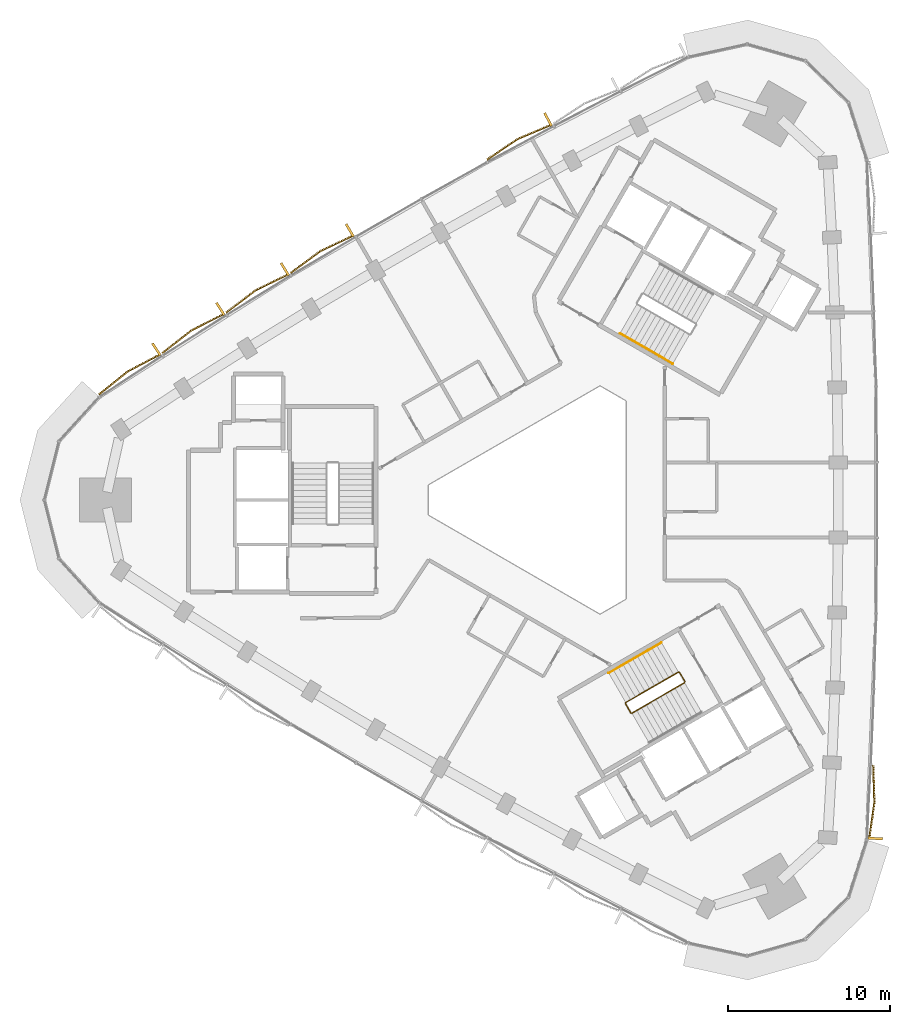
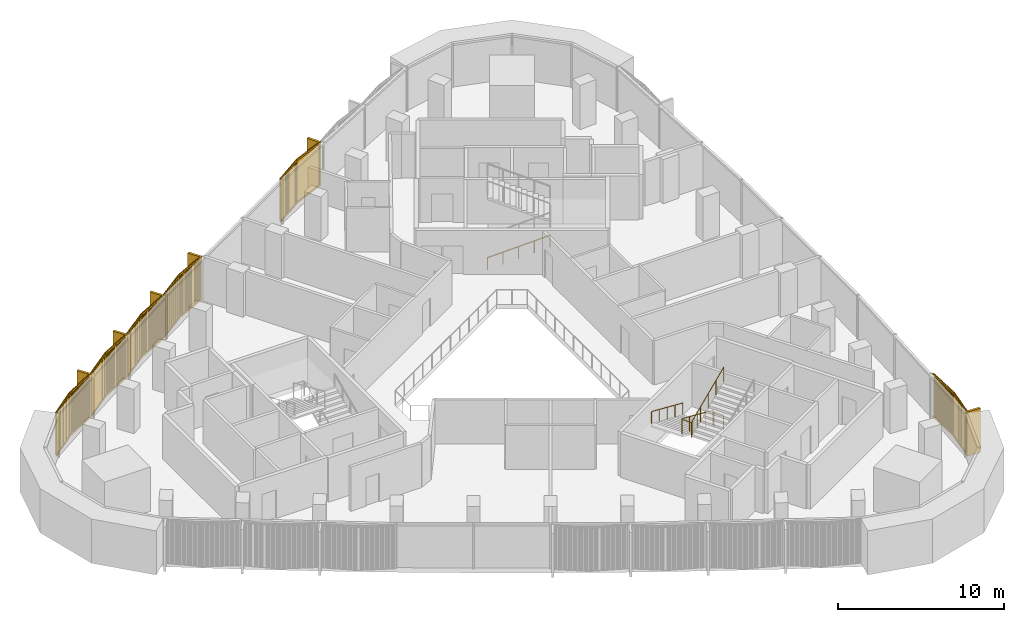
# One storey, part 12 of 13: 6 coverings, 3 railings.
"""IFC4 building model written with IfcOpenShell, lengths in metres."""

from ifc_helpers import new_model, si_unit, direction, frame, frame_2d, origin, origin_2d, place, context, subcontext, project, spatial, rectangle, circle, extrude, source, transform, mapped, material, type_object, element, save


model = new_model("IFC4")

# Units and contexts
model_context = context("Model", 3, precision=1e-05, world=origin(), true_north=direction((0.0, 1.0)))
body_context = subcontext(model_context, "Body", "Model", "MODEL_VIEW")
ifc_project = project(units=[si_unit("LENGTHUNIT", "METRE"), si_unit("AREAUNIT", "SQUARE_METRE"), si_unit("VOLUMEUNIT", "CUBIC_METRE"), si_unit("PLANEANGLEUNIT", "RADIAN"), si_unit("MASSUNIT", "GRAM", prefix="KILO")], contexts=[model_context])

# Site, building, storey
site_placement = place(None, origin())
site = spatial("IfcSite", under=ifc_project, at=site_placement, CompositionType="ELEMENT")
building_placement = place(site_placement, origin())
building = spatial("IfcBuilding", under=site, at=building_placement, Name="Tamra Quay Hotel Tower", CompositionType="ELEMENT")
storey_placement = place(building_placement, frame((0.0, 0.0, 193.60009765625)))
storey = spatial("IfcBuildingStorey", under=building, at=storey_placement, Name="L48", CompositionType="ELEMENT", Elevation=193.60009765625)

# Railings
ifc_material_1 = material(Name="Stair guard 1100")
railing_type_1 = type_object("IfcRailingType", Name="Stair guard 1100", PredefinedType="GUARDRAIL", material=ifc_material_1)
railing_1_placement = place(storey_placement, frame((8.245849609375, -11.221923828125, 0.0)))
element("IfcRailing", 1, at=railing_1_placement, inside=storey, type_object=railing_type_1, Name="GR", PredefinedType="GUARDRAIL", context=body_context, shape_type="SweptSolid", body=[
    extrude(circle(Radius=0.02392578125, at=origin_2d()), frame((0.0, 0.0, 1.076171875), z_axis=(-0.500043078269, 0.866000531106, 0.0), x_axis=(-0.866000531106, -0.500043078269, 0.0)), (0.0, 0.0, 1.0), 0.6591796875),
    extrude(circle(Radius=0.02392578125, at=origin_2d()), frame((-0.32958984375, 0.57080078125, 1.076171875), z_axis=(-0.41238007866, 0.110458949641, 0.904290601062), x_axis=(-0.258736085224, -0.965948051503, 0.0)), (0.0, 0.0, 1.0), 0.165771484375),
    extrude(circle(Radius=0.02392578125, at=origin_2d()), frame((-0.39794921875, 0.589111328125, 1.22607421875), z_axis=(-0.793100512587, -0.457912285461, 0.401631567183), x_axis=(0.500012686397, -0.866018079166, 0.0)), (0.0, 0.0, 1.0), 4.10791015625),
    extrude(circle(Radius=0.02392578125, at=origin_2d()), frame((-3.656005859375, -1.2919921875, 2.8759765625), z_axis=(-0.256368644879, -0.966579080015, 0.0), x_axis=(0.966579080015, -0.256368644879, 0.0)), (0.0, 0.0, 1.0), 0.070556640625),
    extrude(circle(Radius=0.02392578125, at=origin_2d()), frame((-3.674072265625, -1.360107421875, 2.8759765625), z_axis=(0.499765215335, -0.866160914346, 0.0), x_axis=(0.866160914346, 0.499765215335, 0.0)), (0.0, 0.0, 1.0), 0.658935546875),
    extrude(circle(Radius=0.02392578125, at=origin_2d()), frame((-3.3447265625, -1.930908203125, 2.8759765625), z_axis=(0.411831509231, -0.110312011401, 0.90455849349), x_axis=(0.258736085224, 0.965948051503, 0.0)), (0.0, 0.0, 1.0), 0.166015625),
    extrude(circle(Radius=0.02392578125, at=origin_2d()), frame((-3.2763671875, -1.94921875, 3.02587890625), z_axis=(0.793100512587, 0.457912285461, 0.401631567183), x_axis=(-0.500012686397, 0.866018079166, 0.0)), (0.0, 0.0, 1.0), 4.10791015625),
    extrude(circle(Radius=0.02099609375, at=origin_2d()), origin(), (0.0, 0.0, 1.0), 1.052001953125),
    extrude(circle(Radius=0.02099609375, at=origin_2d()), frame((-0.32958984375, 0.57080078125, 0.0)), (0.0, 0.0, 1.0), 1.052001953125),
    extrude(circle(Radius=0.02099609375, at=origin_2d()), frame((-0.39794921875, 0.589111328125, 0.14990234375)), (0.0, 0.0, 1.0), 1.052001953125),
    extrude(circle(Radius=0.02099609375, at=origin_2d()), frame((-1.21240234375, 0.118896484375, 0.5625)), (0.0, 0.0, 1.0), 1.052001953125),
    extrude(circle(Radius=0.02099609375, at=origin_2d()), frame((-2.02685546875, -0.3515625, 0.974853515625)), (0.0, 0.0, 1.0), 1.052001953125),
    extrude(circle(Radius=0.02099609375, at=origin_2d()), frame((-2.841552734375, -0.82177734375, 1.38720703125)), (0.0, 0.0, 1.0), 1.052001953125),
    extrude(circle(Radius=0.02099609375, at=origin_2d()), frame((-3.656005859375, -1.2919921875, 1.7998046875)), (0.0, 0.0, 1.0), 1.052001953125),
    extrude(circle(Radius=0.02099609375, at=origin_2d()), frame((-3.674072265625, -1.360107421875, 1.7998046875)), (0.0, 0.0, 1.0), 1.052001953125),
    extrude(circle(Radius=0.02099609375, at=origin_2d()), frame((-3.3447265625, -1.930908203125, 1.7998046875)), (0.0, 0.0, 1.0), 1.052001953125),
    extrude(circle(Radius=0.02099609375, at=origin_2d()), frame((-3.2763671875, -1.94921875, 1.949951171875)), (0.0, 0.0, 1.0), 1.052001953125),
    extrude(circle(Radius=0.02099609375, at=origin_2d()), frame((-2.4619140625, -1.47900390625, 2.3623046875)), (0.0, 0.0, 1.0), 1.052001953125),
    extrude(circle(Radius=0.02099609375, at=origin_2d()), frame((-1.6474609375, -1.0087890625, 2.77490234375)), (0.0, 0.0, 1.0), 1.052001953125),
    extrude(circle(Radius=0.02099609375, at=origin_2d()), frame((-0.832763671875, -0.538330078125, 3.1875)), (0.0, 0.0, 1.0), 1.052001953125),
    extrude(circle(Radius=0.02099609375, at=origin_2d()), frame((-0.018310546875, -0.068115234375, 3.599853515625)), (0.0, 0.0, 1.0), 1.052001953125),
])
ifc_material_2 = material(Name="Stair handrail 900")
railing_type_2 = type_object("IfcRailingType", Name="Stair handrail 900", PredefinedType="HANDRAIL", material=ifc_material_2)
railing_2_placement = place(storey_placement, frame((4.234375, 10.294189453125, 0.14990234375)))
element("IfcRailing", 2, at=railing_2_placement, inside=storey, type_object=railing_type_2, Name="HR", PredefinedType="HANDRAIL", context=body_context, shape_type="SweptSolid", body=[
    extrude(circle(Radius=0.02392578125, at=origin_2d()), frame((0.0, 0.0, 0.8759765625), z_axis=(0.793122095483, -0.45786531462, 0.401642496911), x_axis=(0.499964013922, 0.86604617936, 0.0)), (0.0, 0.0, 1.0), 4.10791015625),
    extrude(circle(Radius=0.02099609375, at=origin_2d()), origin(), (0.0, 0.0, 1.0), 0.851806640625),
    extrude(circle(Radius=0.02099609375, at=origin_2d()), frame((0.814453125, -0.47021484375, 0.41259765625)), (0.0, 0.0, 1.0), 0.851806640625),
    extrude(circle(Radius=0.02099609375, at=origin_2d()), frame((1.62890625, -0.9404296875, 0.824951171875)), (0.0, 0.0, 1.0), 0.851806640625),
    extrude(circle(Radius=0.02099609375, at=origin_2d()), frame((2.443603515625, -1.41064453125, 1.2373046875)), (0.0, 0.0, 1.0), 0.851806640625),
    extrude(circle(Radius=0.02099609375, at=origin_2d()), frame((3.258056640625, -1.880859375, 1.64990234375)), (0.0, 0.0, 1.0), 0.851806640625),
])
railing_3_placement = place(storey_placement, frame((6.7978515625, -8.814208984375, 0.14990234375)))
element("IfcRailing", 3, at=railing_3_placement, inside=storey, type_object=railing_type_2, Name="HR", PredefinedType="HANDRAIL", context=body_context, shape_type="SweptSolid", body=[
    extrude(circle(Radius=0.02392578125, at=origin_2d()), frame((0.0, 0.0, 0.8759765625), z_axis=(-0.79310004713, -0.457886897714, 0.401661429744), x_axis=(0.499992114976, -0.866029956157, 0.0)), (0.0, 0.0, 1.0), 4.107666015625),
    extrude(circle(Radius=0.02099609375, at=origin_2d()), origin(), (0.0, 0.0, 1.0), 0.851806640625),
    extrude(circle(Radius=0.02099609375, at=origin_2d()), frame((-0.814453125, -0.47021484375, 0.41259765625)), (0.0, 0.0, 1.0), 0.851806640625),
    extrude(circle(Radius=0.02099609375, at=origin_2d()), frame((-1.62890625, -0.9404296875, 0.824951171875)), (0.0, 0.0, 1.0), 0.851806640625),
    extrude(circle(Radius=0.02099609375, at=origin_2d()), frame((-2.443359375, -1.41064453125, 1.2373046875)), (0.0, 0.0, 1.0), 0.851806640625),
    extrude(circle(Radius=0.02099609375, at=origin_2d()), frame((-3.2578125, -1.880859375, 1.64990234375)), (0.0, 0.0, 1.0), 0.851806640625),
])

# Coverings
ifc_material_3 = material(Name="Terracotta baguette extruded", Category="masonry")
covering_type_1 = type_object("IfcCoveringType", Name="BAGUETTE SCREEN E-V H3250", PredefinedType="USERDEFINED", material=ifc_material_3)
shared_shape_1 = source(origin(), body_context, "Body", "SweptSolid", [
    extrude(rectangle(XDim=2.30126953125, YDim=0.06005859375, at=frame_2d((1.150634765625, 0.030029296875))), frame((-2.2978515625, -0.057861328125, -0.1201171875), z_axis=(0.0, 0.0, 1.0), x_axis=(0.996194698092, -0.087155742748, 0.0)), (0.0, 0.0, 1.0), 0.1201171875),
    extrude(rectangle(XDim=2.30126953125, YDim=0.06005859375, at=frame_2d((1.150634765625, 0.030029296875))), frame((-2.2978515625, -0.057861328125, -3.25), z_axis=(0.0, 0.0, 1.0), x_axis=(0.996194698092, -0.087155742748, 0.0)), (0.0, 0.0, 1.0), 0.1201171875),
    extrude(rectangle(XDim=0.070068359375, YDim=0.10009765625, at=frame_2d((0.03515625, 0.050048828125))), frame((-2.277587890625, -0.13232421875, -3.18994140625)), (0.0, 0.0, 1.0), 3.1298828125),
    extrude(rectangle(XDim=0.070068359375, YDim=0.10009765625, at=frame_2d((0.03515625, 0.050048828125))), frame((-2.177978515625, -0.14111328125, -3.18994140625)), (0.0, 0.0, 1.0), 3.1298828125),
    extrude(rectangle(XDim=0.070068359375, YDim=0.10009765625, at=frame_2d((0.03515625, 0.050048828125))), frame((-2.078369140625, -0.14990234375, -3.18994140625)), (0.0, 0.0, 1.0), 3.1298828125),
    extrude(rectangle(XDim=0.070068359375, YDim=0.10009765625, at=frame_2d((0.03515625, 0.050048828125))), frame((-1.978759765625, -0.158447265625, -3.18994140625)), (0.0, 0.0, 1.0), 3.1298828125),
    extrude(rectangle(XDim=0.070068359375, YDim=0.10009765625, at=frame_2d((0.03515625, 0.050048828125))), frame((-1.87890625, -0.167236328125, -3.18994140625)), (0.0, 0.0, 1.0), 3.1298828125),
    extrude(rectangle(XDim=0.070068359375, YDim=0.10009765625, at=frame_2d((0.03515625, 0.050048828125))), frame((-1.779296875, -0.176025390625, -3.18994140625)), (0.0, 0.0, 1.0), 3.1298828125),
    extrude(rectangle(XDim=0.070068359375, YDim=0.10009765625, at=frame_2d((0.03515625, 0.050048828125))), frame((-1.6796875, -0.1845703125, -3.18994140625)), (0.0, 0.0, 1.0), 3.1298828125),
    extrude(rectangle(XDim=0.070068359375, YDim=0.10009765625, at=frame_2d((0.03515625, 0.050048828125))), frame((-1.579833984375, -0.193359375, -3.18994140625)), (0.0, 0.0, 1.0), 3.1298828125),
    extrude(rectangle(XDim=0.070068359375, YDim=0.10009765625, at=frame_2d((0.03515625, 0.050048828125))), frame((-1.480224609375, -0.2021484375, -3.18994140625)), (0.0, 0.0, 1.0), 3.1298828125),
    extrude(rectangle(XDim=0.070068359375, YDim=0.10009765625, at=frame_2d((0.03515625, 0.050048828125))), frame((-1.380615234375, -0.2109375, -3.18994140625)), (0.0, 0.0, 1.0), 3.1298828125),
    extrude(rectangle(XDim=0.070068359375, YDim=0.10009765625, at=frame_2d((0.03515625, 0.050048828125))), frame((-1.281005859375, -0.219482421875, -3.18994140625)), (0.0, 0.0, 1.0), 3.1298828125),
    extrude(rectangle(XDim=0.070068359375, YDim=0.10009765625, at=frame_2d((0.03515625, 0.050048828125))), frame((-1.18115234375, -0.228271484375, -3.18994140625)), (0.0, 0.0, 1.0), 3.1298828125),
    extrude(rectangle(XDim=0.070068359375, YDim=0.10009765625, at=frame_2d((0.03515625, 0.050048828125))), frame((-1.08154296875, -0.237060546875, -3.18994140625)), (0.0, 0.0, 1.0), 3.1298828125),
    extrude(rectangle(XDim=0.070068359375, YDim=0.10009765625, at=frame_2d((0.03515625, 0.050048828125))), frame((-0.98193359375, -0.24560546875, -3.18994140625)), (0.0, 0.0, 1.0), 3.1298828125),
    extrude(rectangle(XDim=0.070068359375, YDim=0.10009765625, at=frame_2d((0.03515625, 0.050048828125))), frame((-0.88232421875, -0.25439453125, -3.18994140625)), (0.0, 0.0, 1.0), 3.1298828125),
    extrude(rectangle(XDim=0.070068359375, YDim=0.10009765625, at=frame_2d((0.03515625, 0.050048828125))), frame((-0.782470703125, -0.26318359375, -3.18994140625)), (0.0, 0.0, 1.0), 3.1298828125),
    extrude(rectangle(XDim=0.070068359375, YDim=0.10009765625, at=frame_2d((0.03515625, 0.050048828125))), frame((-0.682861328125, -0.27197265625, -3.18994140625)), (0.0, 0.0, 1.0), 3.1298828125),
    extrude(rectangle(XDim=0.070068359375, YDim=0.10009765625, at=frame_2d((0.03515625, 0.050048828125))), frame((-0.583251953125, -0.280517578125, -3.18994140625)), (0.0, 0.0, 1.0), 3.1298828125),
    extrude(rectangle(XDim=0.070068359375, YDim=0.10009765625, at=frame_2d((0.03515625, 0.050048828125))), frame((-0.483642578125, -0.289306640625, -3.18994140625)), (0.0, 0.0, 1.0), 3.1298828125),
    extrude(rectangle(XDim=0.070068359375, YDim=0.10009765625, at=frame_2d((0.03515625, 0.050048828125))), frame((-0.3837890625, -0.298095703125, -3.18994140625)), (0.0, 0.0, 1.0), 3.1298828125),
    extrude(rectangle(XDim=0.070068359375, YDim=0.10009765625, at=frame_2d((0.03515625, 0.050048828125))), frame((-0.2841796875, -0.306884765625, -3.18994140625)), (0.0, 0.0, 1.0), 3.1298828125),
    extrude(rectangle(XDim=0.070068359375, YDim=0.10009765625, at=frame_2d((0.03515625, 0.050048828125))), frame((-0.1845703125, -0.3154296875, -3.18994140625)), (0.0, 0.0, 1.0), 3.1298828125),
    extrude(rectangle(XDim=0.070068359375, YDim=0.10009765625, at=frame_2d((0.03515625, 0.050048828125))), frame((-0.0849609375, -0.32421875, -3.18994140625)), (0.0, 0.0, 1.0), 3.1298828125),
    extrude(rectangle(XDim=2.30126953125, YDim=0.06005859375, at=frame_2d((1.150634765625, 0.030029296875))), frame((0.005126953125, -0.25830078125, -0.1201171875), z_axis=(0.0, 0.0, 1.0), x_axis=(0.996194698092, 0.087155742748, 0.0)), (0.0, 0.0, 1.0), 0.1201171875),
    extrude(rectangle(XDim=2.30126953125, YDim=0.06005859375, at=frame_2d((1.150634765625, 0.030029296875))), frame((0.005126953125, -0.25830078125, -3.25), z_axis=(0.0, 0.0, 1.0), x_axis=(0.996194698092, 0.087155742748, 0.0)), (0.0, 0.0, 1.0), 0.1201171875),
    extrude(rectangle(XDim=0.070068359375, YDim=0.10009765625, at=frame_2d((0.03515625, 0.050048828125))), frame((0.014892578125, -0.32421875, -3.18994140625)), (0.0, 0.0, 1.0), 3.1298828125),
    extrude(rectangle(XDim=0.070068359375, YDim=0.10009765625, at=frame_2d((0.03515625, 0.050048828125))), frame((0.114501953125, -0.3154296875, -3.18994140625)), (0.0, 0.0, 1.0), 3.1298828125),
    extrude(rectangle(XDim=0.070068359375, YDim=0.10009765625, at=frame_2d((0.03515625, 0.050048828125))), frame((0.214111328125, -0.306884765625, -3.18994140625)), (0.0, 0.0, 1.0), 3.1298828125),
    extrude(rectangle(XDim=0.070068359375, YDim=0.10009765625, at=frame_2d((0.03515625, 0.050048828125))), frame((0.31396484375, -0.298095703125, -3.18994140625)), (0.0, 0.0, 1.0), 3.1298828125),
    extrude(rectangle(XDim=0.070068359375, YDim=0.10009765625, at=frame_2d((0.03515625, 0.050048828125))), frame((0.41357421875, -0.289306640625, -3.18994140625)), (0.0, 0.0, 1.0), 3.1298828125),
    extrude(rectangle(XDim=0.070068359375, YDim=0.10009765625, at=frame_2d((0.03515625, 0.050048828125))), frame((0.51318359375, -0.280517578125, -3.18994140625)), (0.0, 0.0, 1.0), 3.1298828125),
    extrude(rectangle(XDim=0.070068359375, YDim=0.10009765625, at=frame_2d((0.03515625, 0.050048828125))), frame((0.61279296875, -0.27197265625, -3.18994140625)), (0.0, 0.0, 1.0), 3.1298828125),
    extrude(rectangle(XDim=0.070068359375, YDim=0.10009765625, at=frame_2d((0.03515625, 0.050048828125))), frame((0.712646484375, -0.26318359375, -3.18994140625)), (0.0, 0.0, 1.0), 3.1298828125),
    extrude(rectangle(XDim=0.070068359375, YDim=0.10009765625, at=frame_2d((0.03515625, 0.050048828125))), frame((0.812255859375, -0.25439453125, -3.18994140625)), (0.0, 0.0, 1.0), 3.1298828125),
    extrude(rectangle(XDim=0.070068359375, YDim=0.10009765625, at=frame_2d((0.03515625, 0.050048828125))), frame((0.911865234375, -0.24560546875, -3.18994140625)), (0.0, 0.0, 1.0), 3.1298828125),
    extrude(rectangle(XDim=0.070068359375, YDim=0.10009765625, at=frame_2d((0.03515625, 0.050048828125))), frame((1.011474609375, -0.237060546875, -3.18994140625)), (0.0, 0.0, 1.0), 3.1298828125),
    extrude(rectangle(XDim=0.070068359375, YDim=0.10009765625, at=frame_2d((0.03515625, 0.050048828125))), frame((1.111328125, -0.228271484375, -3.18994140625)), (0.0, 0.0, 1.0), 3.1298828125),
    extrude(rectangle(XDim=0.070068359375, YDim=0.10009765625, at=frame_2d((0.03515625, 0.050048828125))), frame((1.2109375, -0.219482421875, -3.18994140625)), (0.0, 0.0, 1.0), 3.1298828125),
    extrude(rectangle(XDim=0.070068359375, YDim=0.10009765625, at=frame_2d((0.03515625, 0.050048828125))), frame((1.310546875, -0.2109375, -3.18994140625)), (0.0, 0.0, 1.0), 3.1298828125),
    extrude(rectangle(XDim=0.070068359375, YDim=0.10009765625, at=frame_2d((0.03515625, 0.050048828125))), frame((1.41015625, -0.2021484375, -3.18994140625)), (0.0, 0.0, 1.0), 3.1298828125),
    extrude(rectangle(XDim=0.070068359375, YDim=0.10009765625, at=frame_2d((0.03515625, 0.050048828125))), frame((1.510009765625, -0.193359375, -3.18994140625)), (0.0, 0.0, 1.0), 3.1298828125),
    extrude(rectangle(XDim=0.070068359375, YDim=0.10009765625, at=frame_2d((0.03515625, 0.050048828125))), frame((1.609619140625, -0.1845703125, -3.18994140625)), (0.0, 0.0, 1.0), 3.1298828125),
    extrude(rectangle(XDim=0.070068359375, YDim=0.10009765625, at=frame_2d((0.03515625, 0.050048828125))), frame((1.709228515625, -0.176025390625, -3.18994140625)), (0.0, 0.0, 1.0), 3.1298828125),
    extrude(rectangle(XDim=0.070068359375, YDim=0.10009765625, at=frame_2d((0.03515625, 0.050048828125))), frame((1.80908203125, -0.167236328125, -3.18994140625)), (0.0, 0.0, 1.0), 3.1298828125),
    extrude(rectangle(XDim=0.070068359375, YDim=0.10009765625, at=frame_2d((0.03515625, 0.050048828125))), frame((1.90869140625, -0.158447265625, -3.18994140625)), (0.0, 0.0, 1.0), 3.1298828125),
    extrude(rectangle(XDim=0.070068359375, YDim=0.10009765625, at=frame_2d((0.03515625, 0.050048828125))), frame((2.00830078125, -0.14990234375, -3.18994140625)), (0.0, 0.0, 1.0), 3.1298828125),
    extrude(rectangle(XDim=0.070068359375, YDim=0.10009765625, at=frame_2d((0.03515625, 0.050048828125))), frame((2.10791015625, -0.14111328125, -3.18994140625)), (0.0, 0.0, 1.0), 3.1298828125),
    extrude(rectangle(XDim=0.070068359375, YDim=0.10009765625, at=frame_2d((0.03515625, 0.050048828125))), frame((2.207763671875, -0.13232421875, -3.18994140625)), (0.0, 0.0, 1.0), 3.1298828125),
    extrude(rectangle(XDim=0.14990234375, YDim=0.902099609375, at=frame_2d((0.074951171875, 0.451171875))), frame((-2.29248046875, -0.89990234375, -3.25)), (0.0, 0.0, 1.0), 3.25),
])
covering_placement = place(storey_placement, frame((19.69287109375, -18.678466796875, 3.25), z_axis=(0.0, 0.0, 1.0), x_axis=(0.055416308058, 0.998463335732, 0.0)))
element("IfcCovering", 4, at=covering_placement, inside=storey, type_object=covering_type_1, Name="Baguette screen L48.E.f00", ObjectType="BAGUETTE SCREEN", PredefinedType="USERDEFINED", context=body_context, shape_type="MappedRepresentation", body=[
    mapped(shared_shape_1, transform((0.0, 0.0, 0.0), scale=1.0)),
])
covering_type_2 = type_object("IfcCoveringType", Name="BAGUETTE SCREEN NW-V H3250", PredefinedType="USERDEFINED", material=ifc_material_3)
shared_shape_2 = source(origin(), body_context, "Body", "SweptSolid", [
    extrude(rectangle(XDim=2.302978515625, YDim=0.06005859375, at=frame_2d((1.1513671875, 0.030029296875))), frame((-2.29833984375, -0.0576171875, -0.1201171875), z_axis=(0.0, 0.0, 1.0), x_axis=(0.995396198367, -0.09584575252, 0.0)), (0.0, 0.0, 1.0), 0.1201171875),
    extrude(rectangle(XDim=2.302978515625, YDim=0.06005859375, at=frame_2d((1.1513671875, 0.030029296875))), frame((-2.29833984375, -0.0576171875, -3.25), z_axis=(0.0, 0.0, 1.0), x_axis=(0.995396198367, -0.09584575252, 0.0)), (0.0, 0.0, 1.0), 0.1201171875),
    extrude(rectangle(XDim=0.070068359375, YDim=0.10009765625, at=frame_2d((0.03515625, 0.050048828125))), frame((-2.277587890625, -0.1328125, -3.18994140625)), (0.0, 0.0, 1.0), 3.1298828125),
    extrude(rectangle(XDim=0.070068359375, YDim=0.10009765625, at=frame_2d((0.03515625, 0.050048828125))), frame((-2.177978515625, -0.142333984375, -3.18994140625)), (0.0, 0.0, 1.0), 3.1298828125),
    extrude(rectangle(XDim=0.070068359375, YDim=0.10009765625, at=frame_2d((0.03515625, 0.050048828125))), frame((-2.078369140625, -0.152099609375, -3.18994140625)), (0.0, 0.0, 1.0), 3.1298828125),
    extrude(rectangle(XDim=0.070068359375, YDim=0.10009765625, at=frame_2d((0.03515625, 0.050048828125))), frame((-1.978759765625, -0.16162109375, -3.18994140625)), (0.0, 0.0, 1.0), 3.1298828125),
    extrude(rectangle(XDim=0.070068359375, YDim=0.10009765625, at=frame_2d((0.03515625, 0.050048828125))), frame((-1.87890625, -0.171142578125, -3.18994140625)), (0.0, 0.0, 1.0), 3.1298828125),
    extrude(rectangle(XDim=0.070068359375, YDim=0.10009765625, at=frame_2d((0.03515625, 0.050048828125))), frame((-1.779296875, -0.180908203125, -3.18994140625)), (0.0, 0.0, 1.0), 3.1298828125),
    extrude(rectangle(XDim=0.070068359375, YDim=0.10009765625, at=frame_2d((0.03515625, 0.050048828125))), frame((-1.6796875, -0.1904296875, -3.18994140625)), (0.0, 0.0, 1.0), 3.1298828125),
    extrude(rectangle(XDim=0.070068359375, YDim=0.10009765625, at=frame_2d((0.03515625, 0.050048828125))), frame((-1.579833984375, -0.199951171875, -3.18994140625)), (0.0, 0.0, 1.0), 3.1298828125),
    extrude(rectangle(XDim=0.070068359375, YDim=0.10009765625, at=frame_2d((0.03515625, 0.050048828125))), frame((-1.480224609375, -0.20947265625, -3.18994140625)), (0.0, 0.0, 1.0), 3.1298828125),
    extrude(rectangle(XDim=0.070068359375, YDim=0.10009765625, at=frame_2d((0.03515625, 0.050048828125))), frame((-1.380615234375, -0.21923828125, -3.18994140625)), (0.0, 0.0, 1.0), 3.1298828125),
    extrude(rectangle(XDim=0.070068359375, YDim=0.10009765625, at=frame_2d((0.03515625, 0.050048828125))), frame((-1.281005859375, -0.228759765625, -3.18994140625)), (0.0, 0.0, 1.0), 3.1298828125),
    extrude(rectangle(XDim=0.070068359375, YDim=0.10009765625, at=frame_2d((0.03515625, 0.050048828125))), frame((-1.18115234375, -0.23828125, -3.18994140625)), (0.0, 0.0, 1.0), 3.1298828125),
    extrude(rectangle(XDim=0.070068359375, YDim=0.10009765625, at=frame_2d((0.03515625, 0.050048828125))), frame((-1.08154296875, -0.248046875, -3.18994140625)), (0.0, 0.0, 1.0), 3.1298828125),
    extrude(rectangle(XDim=0.070068359375, YDim=0.10009765625, at=frame_2d((0.03515625, 0.050048828125))), frame((-0.98193359375, -0.257568359375, -3.18994140625)), (0.0, 0.0, 1.0), 3.1298828125),
    extrude(rectangle(XDim=0.070068359375, YDim=0.10009765625, at=frame_2d((0.03515625, 0.050048828125))), frame((-0.88232421875, -0.26708984375, -3.18994140625)), (0.0, 0.0, 1.0), 3.1298828125),
    extrude(rectangle(XDim=0.070068359375, YDim=0.10009765625, at=frame_2d((0.03515625, 0.050048828125))), frame((-0.782470703125, -0.27685546875, -3.18994140625)), (0.0, 0.0, 1.0), 3.1298828125),
    extrude(rectangle(XDim=0.070068359375, YDim=0.10009765625, at=frame_2d((0.03515625, 0.050048828125))), frame((-0.682861328125, -0.286376953125, -3.18994140625)), (0.0, 0.0, 1.0), 3.1298828125),
    extrude(rectangle(XDim=0.070068359375, YDim=0.10009765625, at=frame_2d((0.03515625, 0.050048828125))), frame((-0.583251953125, -0.2958984375, -3.18994140625)), (0.0, 0.0, 1.0), 3.1298828125),
    extrude(rectangle(XDim=0.070068359375, YDim=0.10009765625, at=frame_2d((0.03515625, 0.050048828125))), frame((-0.483642578125, -0.3056640625, -3.18994140625)), (0.0, 0.0, 1.0), 3.1298828125),
    extrude(rectangle(XDim=0.070068359375, YDim=0.10009765625, at=frame_2d((0.03515625, 0.050048828125))), frame((-0.3837890625, -0.315185546875, -3.18994140625)), (0.0, 0.0, 1.0), 3.1298828125),
    extrude(rectangle(XDim=0.070068359375, YDim=0.10009765625, at=frame_2d((0.03515625, 0.050048828125))), frame((-0.2841796875, -0.32470703125, -3.18994140625)), (0.0, 0.0, 1.0), 3.1298828125),
    extrude(rectangle(XDim=0.070068359375, YDim=0.10009765625, at=frame_2d((0.03515625, 0.050048828125))), frame((-0.1845703125, -0.334228515625, -3.18994140625)), (0.0, 0.0, 1.0), 3.1298828125),
    extrude(rectangle(XDim=0.070068359375, YDim=0.10009765625, at=frame_2d((0.03515625, 0.050048828125))), frame((-0.0849609375, -0.343994140625, -3.18994140625)), (0.0, 0.0, 1.0), 3.1298828125),
    extrude(rectangle(XDim=2.302978515625, YDim=0.06005859375, at=frame_2d((1.1513671875, 0.030029296875))), frame((0.005859375, -0.278564453125, -0.1201171875), z_axis=(0.0, 0.0, 1.0), x_axis=(0.995396198367, 0.09584575252, 0.0)), (0.0, 0.0, 1.0), 0.1201171875),
    extrude(rectangle(XDim=2.302978515625, YDim=0.06005859375, at=frame_2d((1.1513671875, 0.030029296875))), frame((0.005859375, -0.278564453125, -3.25), z_axis=(0.0, 0.0, 1.0), x_axis=(0.995396198367, 0.09584575252, 0.0)), (0.0, 0.0, 1.0), 0.1201171875),
    extrude(rectangle(XDim=0.070068359375, YDim=0.10009765625, at=frame_2d((0.03515625, 0.050048828125))), frame((0.014892578125, -0.343994140625, -3.18994140625)), (0.0, 0.0, 1.0), 3.1298828125),
    extrude(rectangle(XDim=0.070068359375, YDim=0.10009765625, at=frame_2d((0.03515625, 0.050048828125))), frame((0.114501953125, -0.334228515625, -3.18994140625)), (0.0, 0.0, 1.0), 3.1298828125),
    extrude(rectangle(XDim=0.070068359375, YDim=0.10009765625, at=frame_2d((0.03515625, 0.050048828125))), frame((0.214111328125, -0.32470703125, -3.18994140625)), (0.0, 0.0, 1.0), 3.1298828125),
    extrude(rectangle(XDim=0.070068359375, YDim=0.10009765625, at=frame_2d((0.03515625, 0.050048828125))), frame((0.31396484375, -0.315185546875, -3.18994140625)), (0.0, 0.0, 1.0), 3.1298828125),
    extrude(rectangle(XDim=0.070068359375, YDim=0.10009765625, at=frame_2d((0.03515625, 0.050048828125))), frame((0.41357421875, -0.3056640625, -3.18994140625)), (0.0, 0.0, 1.0), 3.1298828125),
    extrude(rectangle(XDim=0.070068359375, YDim=0.10009765625, at=frame_2d((0.03515625, 0.050048828125))), frame((0.51318359375, -0.2958984375, -3.18994140625)), (0.0, 0.0, 1.0), 3.1298828125),
    extrude(rectangle(XDim=0.070068359375, YDim=0.10009765625, at=frame_2d((0.03515625, 0.050048828125))), frame((0.61279296875, -0.286376953125, -3.18994140625)), (0.0, 0.0, 1.0), 3.1298828125),
    extrude(rectangle(XDim=0.070068359375, YDim=0.10009765625, at=frame_2d((0.03515625, 0.050048828125))), frame((0.712646484375, -0.27685546875, -3.18994140625)), (0.0, 0.0, 1.0), 3.1298828125),
    extrude(rectangle(XDim=0.070068359375, YDim=0.10009765625, at=frame_2d((0.03515625, 0.050048828125))), frame((0.812255859375, -0.26708984375, -3.18994140625)), (0.0, 0.0, 1.0), 3.1298828125),
    extrude(rectangle(XDim=0.070068359375, YDim=0.10009765625, at=frame_2d((0.03515625, 0.050048828125))), frame((0.911865234375, -0.257568359375, -3.18994140625)), (0.0, 0.0, 1.0), 3.1298828125),
    extrude(rectangle(XDim=0.070068359375, YDim=0.10009765625, at=frame_2d((0.03515625, 0.050048828125))), frame((1.011474609375, -0.248046875, -3.18994140625)), (0.0, 0.0, 1.0), 3.1298828125),
    extrude(rectangle(XDim=0.070068359375, YDim=0.10009765625, at=frame_2d((0.03515625, 0.050048828125))), frame((1.111328125, -0.23828125, -3.18994140625)), (0.0, 0.0, 1.0), 3.1298828125),
    extrude(rectangle(XDim=0.070068359375, YDim=0.10009765625, at=frame_2d((0.03515625, 0.050048828125))), frame((1.2109375, -0.228759765625, -3.18994140625)), (0.0, 0.0, 1.0), 3.1298828125),
    extrude(rectangle(XDim=0.070068359375, YDim=0.10009765625, at=frame_2d((0.03515625, 0.050048828125))), frame((1.310546875, -0.21923828125, -3.18994140625)), (0.0, 0.0, 1.0), 3.1298828125),
    extrude(rectangle(XDim=0.070068359375, YDim=0.10009765625, at=frame_2d((0.03515625, 0.050048828125))), frame((1.41015625, -0.20947265625, -3.18994140625)), (0.0, 0.0, 1.0), 3.1298828125),
    extrude(rectangle(XDim=0.070068359375, YDim=0.10009765625, at=frame_2d((0.03515625, 0.050048828125))), frame((1.510009765625, -0.199951171875, -3.18994140625)), (0.0, 0.0, 1.0), 3.1298828125),
    extrude(rectangle(XDim=0.070068359375, YDim=0.10009765625, at=frame_2d((0.03515625, 0.050048828125))), frame((1.609619140625, -0.1904296875, -3.18994140625)), (0.0, 0.0, 1.0), 3.1298828125),
    extrude(rectangle(XDim=0.070068359375, YDim=0.10009765625, at=frame_2d((0.03515625, 0.050048828125))), frame((1.709228515625, -0.180908203125, -3.18994140625)), (0.0, 0.0, 1.0), 3.1298828125),
    extrude(rectangle(XDim=0.070068359375, YDim=0.10009765625, at=frame_2d((0.03515625, 0.050048828125))), frame((1.80908203125, -0.171142578125, -3.18994140625)), (0.0, 0.0, 1.0), 3.1298828125),
    extrude(rectangle(XDim=0.070068359375, YDim=0.10009765625, at=frame_2d((0.03515625, 0.050048828125))), frame((1.90869140625, -0.16162109375, -3.18994140625)), (0.0, 0.0, 1.0), 3.1298828125),
    extrude(rectangle(XDim=0.070068359375, YDim=0.10009765625, at=frame_2d((0.03515625, 0.050048828125))), frame((2.00830078125, -0.152099609375, -3.18994140625)), (0.0, 0.0, 1.0), 3.1298828125),
    extrude(rectangle(XDim=0.070068359375, YDim=0.10009765625, at=frame_2d((0.03515625, 0.050048828125))), frame((2.10791015625, -0.142333984375, -3.18994140625)), (0.0, 0.0, 1.0), 3.1298828125),
    extrude(rectangle(XDim=0.070068359375, YDim=0.10009765625, at=frame_2d((0.03515625, 0.050048828125))), frame((2.207763671875, -0.1328125, -3.18994140625)), (0.0, 0.0, 1.0), 3.1298828125),
    extrude(rectangle(XDim=0.14990234375, YDim=0.902099609375, at=frame_2d((0.074951171875, 0.451171875))), frame((-2.29248046875, -0.89990234375, -3.25)), (0.0, 0.0, 1.0), 3.25),
])
for number, where, z_axis, x_axis, name in (
    (5, (-1.949462890625, 22.062744140625, 3.25), (0.0, 0.0, 1.0), (-0.879568600166, -0.475772085773, 0.0), "Baguette screen L48.NW.f02"),
    (6, (-14.1357421875, 15.13916015625, 3.25), (0.0, 0.0, 1.0), (-0.85899866837, -0.511977819577, 0.0), "Baguette screen L48.NW.f05"),
    (7, (-18.132080078125, 12.719482421875, 3.25), (0.0, 0.0, 1.0), (-0.851815012775, -0.523842709229, 0.0), "Baguette screen L48.NW.f06"),
    (8, (-22.094482421875, 10.244873046875, 3.25), (0.0, 0.0, 1.0), (-0.844476178502, -0.535593114167, 0.0), "Baguette screen L48.NW.f07"),
    (9, (-26.0224609375, 7.71533203125, 3.25), (0.0, 0.0, 1.0), (-0.836986459463, -0.547223598428, 0.0), "Baguette screen L48.NW.f08"),
):
    element("IfcCovering", number, at=place(storey_placement, frame(where, z_axis=z_axis, x_axis=x_axis)), inside=storey, type_object=covering_type_2, Name=name, ObjectType="BAGUETTE SCREEN", PredefinedType="USERDEFINED", context=body_context, shape_type="MappedRepresentation", body=[
        mapped(shared_shape_2, transform((0.0, 0.0, 0.0), scale=1.0)),
    ])

save(model, "model.ifc")
